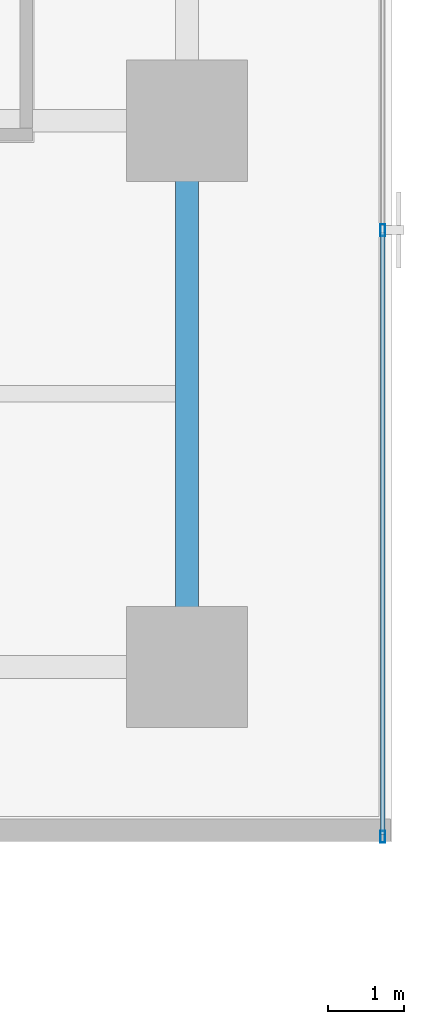
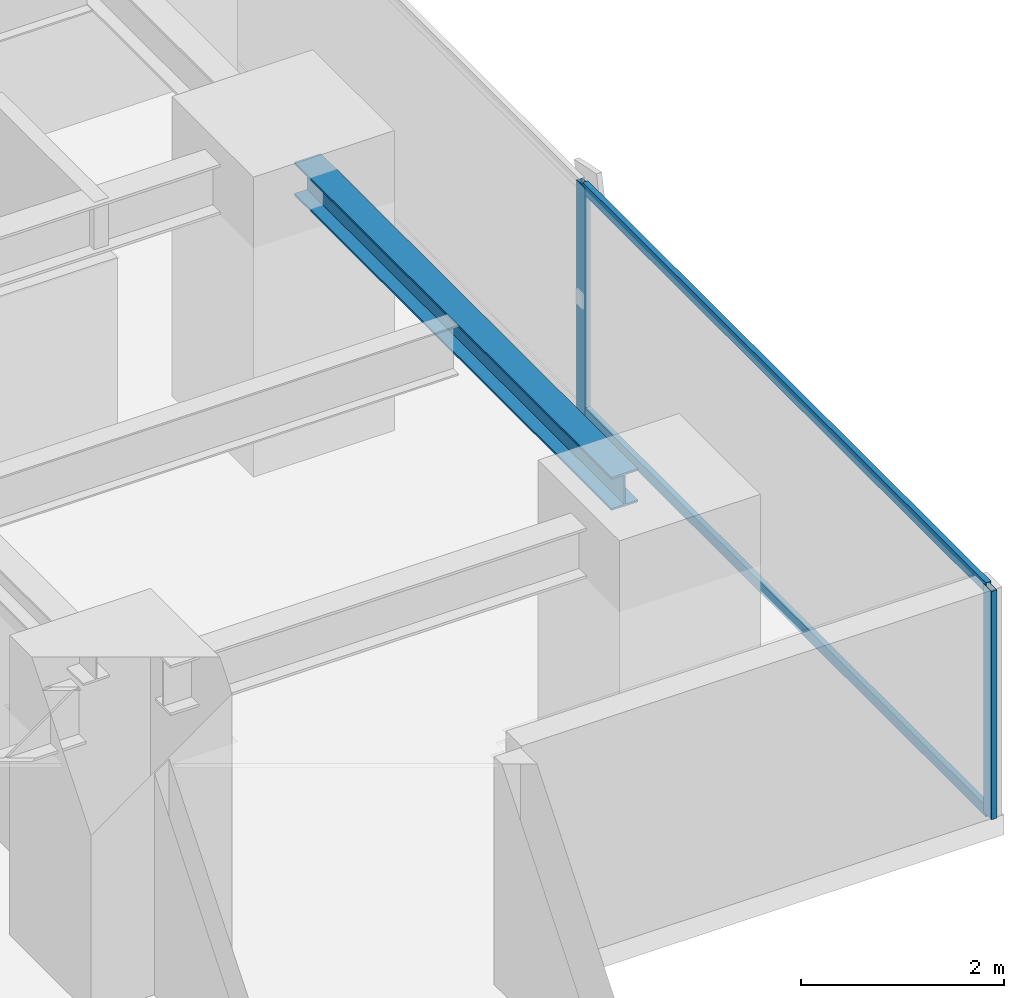
# One storey, part 14 of 34: 4 members, 1 beam, 1 element without a shape of its own.
"""IFC4 building model written with IfcOpenShell, lengths in metres."""

from ifc_helpers import new_model, si_unit, direction, frame, origin, origin_2d, place, context, subcontext, project, spatial, hollow_rectangle, i_section, extrude, source, transform, mapped, material, layer, layer_set, material_profile, profile_set, type_object, element, aggregate, save


model = new_model("IFC4")

# Units and contexts
model_context = context("Model", 3, precision=1e-05, world=origin(), true_north=direction((0.0, 1.0)))
body_context = subcontext(model_context, "Body", "Model", "MODEL_VIEW")
ifc_project = project(units=[si_unit("LENGTHUNIT", "METRE"), si_unit("AREAUNIT", "SQUARE_METRE"), si_unit("VOLUMEUNIT", "CUBIC_METRE"), si_unit("PLANEANGLEUNIT", "RADIAN"), si_unit("MASSUNIT", "GRAM", prefix="KILO")], contexts=[model_context])

# Site, building, storey
site_placement = place(None, origin())
site = spatial("IfcSite", under=ifc_project, at=site_placement, CompositionType="ELEMENT")
building_placement = place(site_placement, origin())
building = spatial("IfcBuilding", under=site, at=building_placement, Name="Sumidabori Civic Tower", CompositionType="ELEMENT")
storey_placement = place(building_placement, frame((0.0, 0.0, 106.39990234375)))
storey = spatial("IfcBuildingStorey", under=building, at=storey_placement, Name="L27", CompositionType="ELEMENT", Elevation=106.39990234375)

# Beam
ifc_material_1 = material(Name="Steel SN490", Category="steel")
ifc_material_profile_1 = material_profile(ifc_material_1, i_section(OverallWidth=0.300048828125, OverallDepth=0.39990234375, WebThickness=0.013427734375, FlangeThickness=0.02392578125, at=origin_2d()), Name="HE 400 B")
ifc_profile_set_1 = profile_set([ifc_material_profile_1], Name="Steel SN490")
beam_type = type_object("IfcBeamType", Name="BM-GIRD-400", PredefinedType="BEAM", material=ifc_profile_set_1)
shared_shape_1 = source(origin(), body_context, "Body", "SweptSolid", [
    extrude(i_section(OverallWidth=0.300048828125, OverallDepth=0.39990234375, WebThickness=0.013427734375, FlangeThickness=0.02392578125, at=origin_2d()), origin(), (0.0, 0.0, 1.0), 6.239990234375),
])
beam_placement = place(storey_placement, frame((22.800048828125, -17.52001953125, 3.16015625), z_axis=(0.0, 1.0, 0.0), x_axis=(-1.0, 0.0, 0.0)))
element("IfcBeam", 1, at=beam_placement, inside=storey, type_object=beam_type, Name="Primary Girder L27 GY-39", PredefinedType="BEAM", context=body_context, shape_type="MappedRepresentation", body=[
    mapped(shared_shape_1, transform((0.0, 0.0, 0.0), x_axis=(1.0, 0.0, 0.0), y_axis=(0.0, 1.0, 0.0), z_axis=(0.0, 0.0, 1.0), scale=1.0)),
])

# Curtain wall, members
ifc_material_2 = material(Name="Anodised Bronze Aluminium AW-6063-T6", Category="aluminium")
ifc_layer = layer(ifc_material_2, 0.179931640625, Name="Anodised Bronze Aluminium AW-6063-T6")
ifc_layer_set = layer_set([ifc_layer], Name="Anodised Bronze Aluminium AW-6063-T6")
curtain_wall_type = type_object("IfcCurtainWallType", Name="CW-SYS-3", PredefinedType="NOTDEFINED", material=ifc_layer_set)
curtain_wall_placement = place(storey_placement, origin())
curtain_wall = element("IfcCurtainWall", 2, at=curtain_wall_placement, inside=storey, type_object=curtain_wall_type, Name="Curtain Wall CW:L27:R04", PredefinedType="NOTDEFINED")
ifc_material_profile_2 = material_profile(ifc_material_2, hollow_rectangle(XDim=0.06494140625, YDim=0.159912109375, WallThickness=0.0048828125, at=origin_2d()), Name="ALU MULLION 160x65")
ifc_profile_set_2 = profile_set([ifc_material_profile_2], Name="Anodised Bronze Aluminium AW-6063-T6")
member_type_1 = type_object("IfcMemberType", Name="CW-MUL-160", PredefinedType="MULLION", material=ifc_profile_set_2)
shared_shape_2 = source(origin(), body_context, "Body", "SweptSolid", [
    extrude(hollow_rectangle(XDim=0.06494140625, YDim=0.159912109375, WallThickness=0.0048828125, at=origin_2d()), origin(), (0.0, 0.0, 1.0), 2.739990234375),
])
member_1_placement = place(storey_placement, frame((25.3798828125, -20.237548828125, 0.0), z_axis=(0.0, 0.0, 1.0), x_axis=(-1.0, 0.0, 0.0)))
member_1 = element("IfcMember", 3, at=member_1_placement, type_object=member_type_1, Name="CW-3 mullion 1", PredefinedType="MULLION", context=body_context, shape_type="MappedRepresentation", body=[
    mapped(shared_shape_2, transform((0.0, 0.0, 0.0), x_axis=(1.0, 0.0, 0.0), y_axis=(0.0, 1.0, 0.0), z_axis=(0.0, 0.0, 1.0), scale=1.0)),
])
member_2_placement = place(storey_placement, frame((25.3798828125, -12.241943359375, 0.0), z_axis=(0.0, 0.0, 1.0), x_axis=(-1.0, 0.0, 0.0)))
member_2 = element("IfcMember", 4, at=member_2_placement, type_object=member_type_1, Name="CW-3 mullion 2", PredefinedType="MULLION", context=body_context, shape_type="MappedRepresentation", body=[
    mapped(shared_shape_2, transform((0.0, 0.0, 0.0), x_axis=(1.0, 0.0, 0.0), y_axis=(0.0, 1.0, 0.0), z_axis=(0.0, 0.0, 1.0), scale=1.0)),
])
ifc_material_profile_3 = material_profile(ifc_material_2, hollow_rectangle(XDim=0.06005859375, YDim=0.1298828125, WallThickness=0.0048828125, at=origin_2d()), Name="ALU TRANSOM 130x60")
ifc_profile_set_3 = profile_set([ifc_material_profile_3], Name="Anodised Bronze Aluminium AW-6063-T6")
member_type_2 = type_object("IfcMemberType", Name="CW-TRN-130", PredefinedType="USERDEFINED", material=ifc_profile_set_3)
shared_shape_3 = source(origin(), body_context, "Body", "SweptSolid", [
    extrude(hollow_rectangle(XDim=0.06005859375, YDim=0.1298828125, WallThickness=0.0048828125, at=origin_2d()), origin(), (0.0, 0.0, 1.0), 7.9306640625),
])
member_3_placement = place(storey_placement, frame((25.3798828125, -20.205078125, 0.030029296875), z_axis=(0.0, 1.0, 0.0), x_axis=(-1.0, 0.0, 0.0)))
member_3 = element("IfcMember", 5, at=member_3_placement, type_object=member_type_2, Name="CW-3 transom 1.1", ObjectType="TRANSOM", PredefinedType="USERDEFINED", context=body_context, shape_type="MappedRepresentation", body=[
    mapped(shared_shape_3, transform((0.0, 0.0, 0.0), x_axis=(1.0, 0.0, 0.0), y_axis=(0.0, 1.0, 0.0), z_axis=(0.0, 0.0, 1.0), scale=1.0)),
])
member_4_placement = place(storey_placement, frame((25.3798828125, -20.205078125, 2.710205078125), z_axis=(0.0, 1.0, 0.0), x_axis=(-1.0, 0.0, 0.0)))
member_4 = element("IfcMember", 6, at=member_4_placement, type_object=member_type_2, Name="CW-3 transom 1.2", ObjectType="TRANSOM", PredefinedType="USERDEFINED", context=body_context, shape_type="MappedRepresentation", body=[
    mapped(shared_shape_3, transform((0.0, 0.0, 0.0), x_axis=(1.0, 0.0, 0.0), y_axis=(0.0, 1.0, 0.0), z_axis=(0.0, 0.0, 1.0), scale=1.0)),
])
aggregate(curtain_wall, [member_1, member_2, member_3, member_4])

save(model, "model.ifc")
